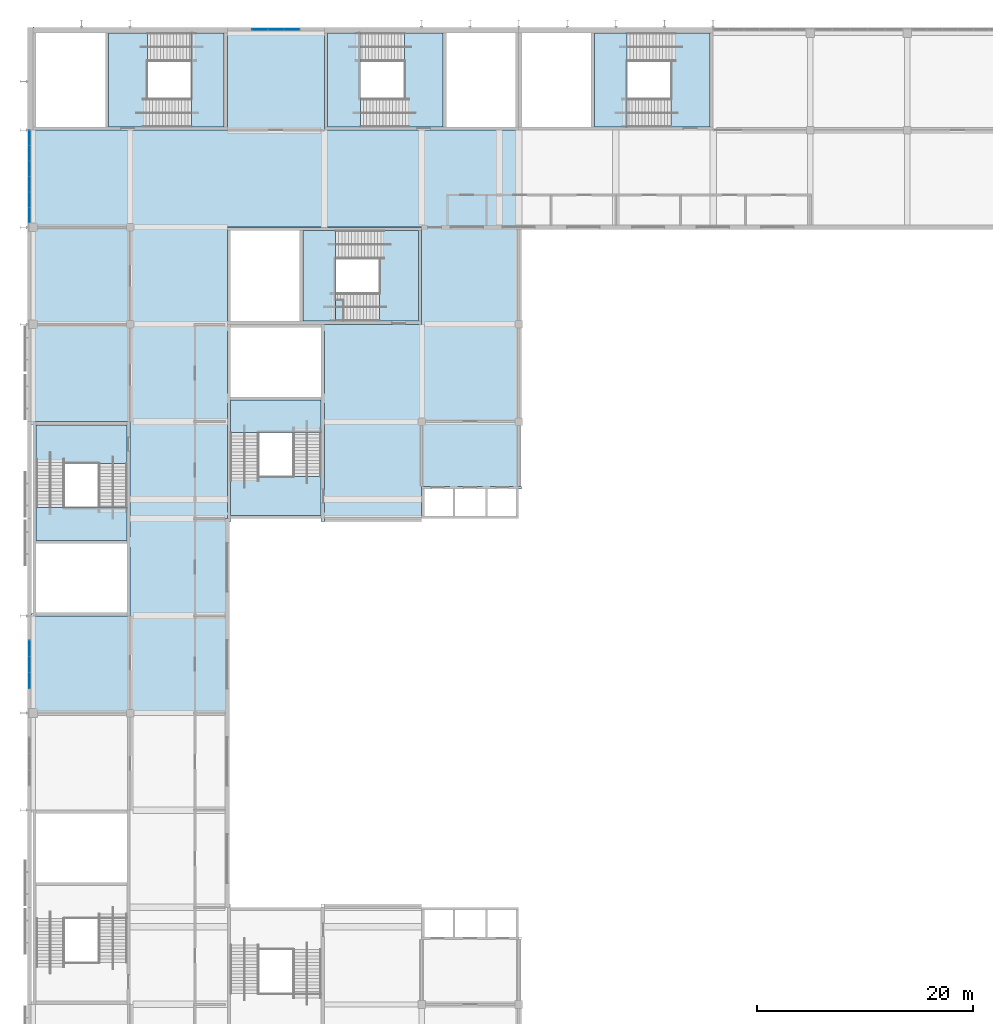
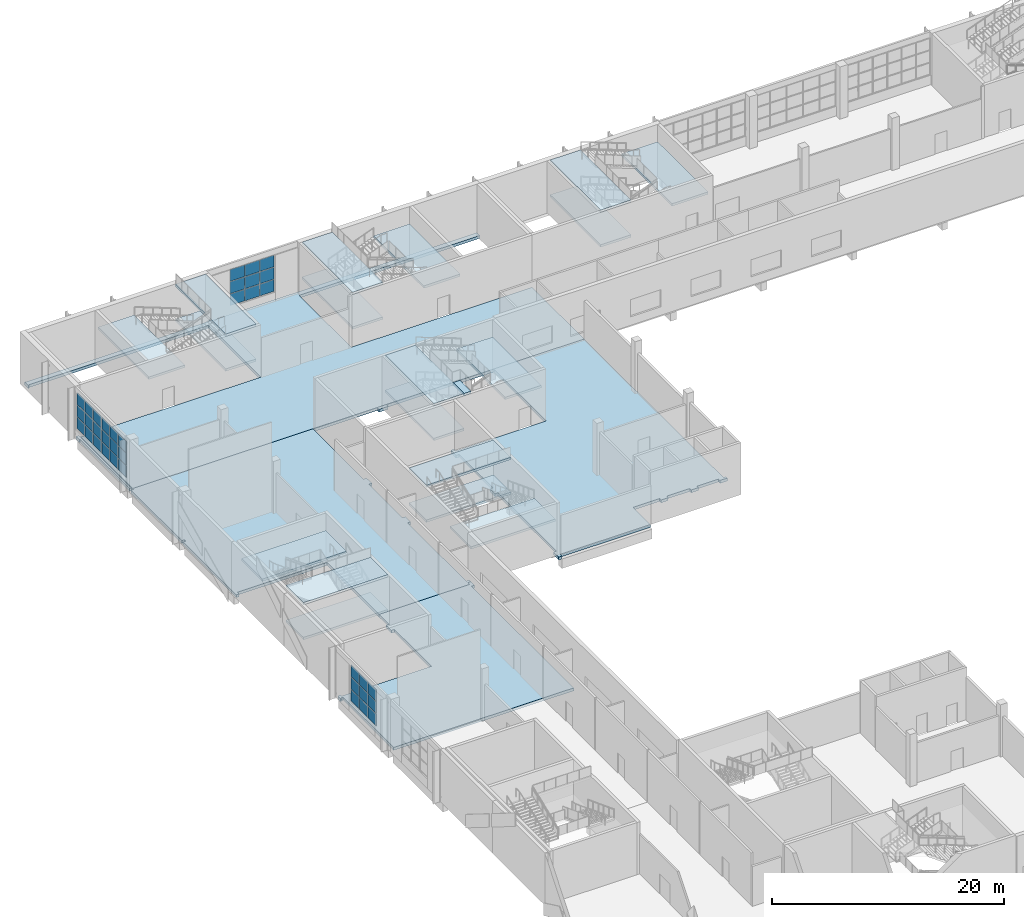
# One storey, part 28 of 84: 36 plates, 22 slabs, 9 elements without a shape of their own.
"""IFC4 building model written with IfcOpenShell, lengths in metres."""

from ifc_helpers import new_model, si_unit, direction, frame, origin, origin_2d, place, context, subcontext, project, spatial, polyline, rectangle, outline, extrude, material, layer, layer_set, type_object, element, aggregate, save


model = new_model("IFC4")

# Units and contexts
model_context = context("Model", 3, precision=1e-05, world=origin(), true_north=direction((0.0, 1.0)))
body_context = subcontext(model_context, "Body", "Model", "MODEL_VIEW")
ifc_project = project(units=[si_unit("LENGTHUNIT", "METRE"), si_unit("AREAUNIT", "SQUARE_METRE"), si_unit("VOLUMEUNIT", "CUBIC_METRE"), si_unit("PLANEANGLEUNIT", "RADIAN"), si_unit("MASSUNIT", "GRAM", prefix="KILO")], contexts=[model_context])

# Site, building, storey
site_placement = place(None, origin())
site = spatial("IfcSite", under=ifc_project, at=site_placement, CompositionType="ELEMENT")
building_placement = place(site_placement, origin())
building = spatial("IfcBuilding", under=site, at=building_placement, Name="Silverbay Arena", CompositionType="ELEMENT")
storey_placement = place(building_placement, frame((0.0, 0.0, 28.0)))
storey = spatial("IfcBuildingStorey", under=building, at=storey_placement, Name="L04", CompositionType="ELEMENT", Elevation=28.0)

# Curtain wall, plates
ifc_material_1 = material(Name="Aluminium framed curtain wall", Category="aluminium")
curtain_wall_type_1 = type_object("IfcCurtainWallType", Name="Curtain wall 4500 x 3900", PredefinedType="NOTDEFINED", material=ifc_material_1)
curtain_wall_1_placement = place(storey_placement, origin())
curtain_wall_1 = element("IfcCurtainWall", 1, at=curtain_wall_1_placement, inside=storey, type_object=curtain_wall_type_1, Name="North curtain wall L04 bay 3", PredefinedType="NOTDEFINED")
ifc_material_2 = material(Name="Laminated glass", Category="glass")
ifc_layer_1 = layer(ifc_material_2, 0.028076171875)
ifc_layer_set_1 = layer_set([ifc_layer_1], Name="Laminated glass")
plate_type = type_object("IfcPlateType", Name="Glass panel 28", PredefinedType="CURTAIN_PANEL", material=ifc_layer_set_1)
plate_1_placement = place(storey_placement, frame((77.985107421875, 144.330078125, 1.050048828125), z_axis=(0.0, 0.0, 1.0), x_axis=(-1.0, 0.0, 0.0)))
plate_1 = element("IfcPlate", 2, at=plate_1_placement, type_object=plate_type, Name="CW15 panel 1.1", PredefinedType="CURTAIN_PANEL", context=body_context, shape_type="SweptSolid", body=[
    extrude(rectangle(XDim=1.409912109375, YDim=0.028076171875, at=origin_2d()), origin(), (0.0, 0.0, 1.0), 1.22509765625),
])
plate_2_placement = place(storey_placement, frame((77.985107421875, 144.330078125, 2.324951171875), z_axis=(0.0, 0.0, 1.0), x_axis=(-1.0, 0.0, 0.0)))
plate_2 = element("IfcPlate", 3, at=plate_2_placement, type_object=plate_type, Name="CW15 panel 1.2", PredefinedType="CURTAIN_PANEL", context=body_context, shape_type="SweptSolid", body=[
    extrude(rectangle(XDim=1.409912109375, YDim=0.028076171875, at=origin_2d()), origin(), (0.0, 0.0, 1.0), 1.25),
])
plate_3_placement = place(storey_placement, frame((77.985107421875, 144.330078125, 3.625), z_axis=(0.0, 0.0, 1.0), x_axis=(-1.0, 0.0, 0.0)))
plate_3 = element("IfcPlate", 4, at=plate_3_placement, type_object=plate_type, Name="CW15 panel 1.3", PredefinedType="CURTAIN_PANEL", context=body_context, shape_type="SweptSolid", body=[
    extrude(rectangle(XDim=1.409912109375, YDim=0.028076171875, at=origin_2d()), origin(), (0.0, 0.0, 1.0), 1.22509765625),
])
plate_4_placement = place(storey_placement, frame((76.5, 144.330078125, 1.050048828125), z_axis=(0.0, 0.0, 1.0), x_axis=(-1.0, 0.0, 0.0)))
plate_4 = element("IfcPlate", 5, at=plate_4_placement, type_object=plate_type, Name="CW15 panel 2.1", PredefinedType="CURTAIN_PANEL", context=body_context, shape_type="SweptSolid", body=[
    extrude(rectangle(XDim=1.43994140625, YDim=0.028076171875, at=origin_2d()), origin(), (0.0, 0.0, 1.0), 1.22509765625),
])
plate_5_placement = place(storey_placement, frame((76.5, 144.330078125, 2.324951171875), z_axis=(0.0, 0.0, 1.0), x_axis=(-1.0, 0.0, 0.0)))
plate_5 = element("IfcPlate", 6, at=plate_5_placement, type_object=plate_type, Name="CW15 panel 2.2", PredefinedType="CURTAIN_PANEL", context=body_context, shape_type="SweptSolid", body=[
    extrude(rectangle(XDim=1.43994140625, YDim=0.028076171875, at=origin_2d()), origin(), (0.0, 0.0, 1.0), 1.25),
])
plate_6_placement = place(storey_placement, frame((76.5, 144.330078125, 3.625), z_axis=(0.0, 0.0, 1.0), x_axis=(-1.0, 0.0, 0.0)))
plate_6 = element("IfcPlate", 7, at=plate_6_placement, type_object=plate_type, Name="CW15 panel 2.3", PredefinedType="CURTAIN_PANEL", context=body_context, shape_type="SweptSolid", body=[
    extrude(rectangle(XDim=1.43994140625, YDim=0.028076171875, at=origin_2d()), origin(), (0.0, 0.0, 1.0), 1.22509765625),
])
plate_7_placement = place(storey_placement, frame((75.014892578125, 144.330078125, 1.050048828125), z_axis=(0.0, 0.0, 1.0), x_axis=(-1.0, 0.0, 0.0)))
plate_7 = element("IfcPlate", 8, at=plate_7_placement, type_object=plate_type, Name="CW15 panel 3.1", PredefinedType="CURTAIN_PANEL", context=body_context, shape_type="SweptSolid", body=[
    extrude(rectangle(XDim=1.409912109375, YDim=0.028076171875, at=origin_2d()), origin(), (0.0, 0.0, 1.0), 1.22509765625),
])
plate_8_placement = place(storey_placement, frame((75.014892578125, 144.330078125, 2.324951171875), z_axis=(0.0, 0.0, 1.0), x_axis=(-1.0, 0.0, 0.0)))
plate_8 = element("IfcPlate", 9, at=plate_8_placement, type_object=plate_type, Name="CW15 panel 3.2", PredefinedType="CURTAIN_PANEL", context=body_context, shape_type="SweptSolid", body=[
    extrude(rectangle(XDim=1.409912109375, YDim=0.028076171875, at=origin_2d()), origin(), (0.0, 0.0, 1.0), 1.25),
])
plate_9_placement = place(storey_placement, frame((75.014892578125, 144.330078125, 3.625), z_axis=(0.0, 0.0, 1.0), x_axis=(-1.0, 0.0, 0.0)))
plate_9 = element("IfcPlate", 10, at=plate_9_placement, type_object=plate_type, Name="CW15 panel 3.3", PredefinedType="CURTAIN_PANEL", context=body_context, shape_type="SweptSolid", body=[
    extrude(rectangle(XDim=1.409912109375, YDim=0.028076171875, at=origin_2d()), origin(), (0.0, 0.0, 1.0), 1.22509765625),
])
aggregate(curtain_wall_1, [plate_1, plate_2, plate_3, plate_4, plate_5, plate_6, plate_7, plate_8, plate_9])

curtain_wall_2_placement = place(storey_placement, origin())
curtain_wall_2 = element("IfcCurtainWall", 11, at=curtain_wall_2_placement, inside=storey, type_object=curtain_wall_type_1, Name="West curtain wall L04 bay 8", PredefinedType="NOTDEFINED")
plate_10_placement = place(storey_placement, frame((53.669921875, 86.985107421875, 1.050048828125), z_axis=(0.0, 0.0, 1.0), x_axis=(0.0, -1.0, 0.0)))
plate_10 = element("IfcPlate", 12, at=plate_10_placement, type_object=plate_type, Name="CW15 panel 1.1", PredefinedType="CURTAIN_PANEL", context=body_context, shape_type="SweptSolid", body=[
    extrude(rectangle(XDim=1.409912109375, YDim=0.028076171875, at=origin_2d()), origin(), (0.0, 0.0, 1.0), 1.22509765625),
])
plate_11_placement = place(storey_placement, frame((53.669921875, 86.985107421875, 2.324951171875), z_axis=(0.0, 0.0, 1.0), x_axis=(0.0, -1.0, 0.0)))
plate_11 = element("IfcPlate", 13, at=plate_11_placement, type_object=plate_type, Name="CW15 panel 1.2", PredefinedType="CURTAIN_PANEL", context=body_context, shape_type="SweptSolid", body=[
    extrude(rectangle(XDim=1.409912109375, YDim=0.028076171875, at=origin_2d()), origin(), (0.0, 0.0, 1.0), 1.25),
])
plate_12_placement = place(storey_placement, frame((53.669921875, 86.985107421875, 3.625), z_axis=(0.0, 0.0, 1.0), x_axis=(0.0, -1.0, 0.0)))
plate_12 = element("IfcPlate", 14, at=plate_12_placement, type_object=plate_type, Name="CW15 panel 1.3", PredefinedType="CURTAIN_PANEL", context=body_context, shape_type="SweptSolid", body=[
    extrude(rectangle(XDim=1.409912109375, YDim=0.028076171875, at=origin_2d()), origin(), (0.0, 0.0, 1.0), 1.22509765625),
])
plate_13_placement = place(storey_placement, frame((53.669921875, 85.5, 1.050048828125), z_axis=(0.0, 0.0, 1.0), x_axis=(0.0, -1.0, 0.0)))
plate_13 = element("IfcPlate", 15, at=plate_13_placement, type_object=plate_type, Name="CW15 panel 2.1", PredefinedType="CURTAIN_PANEL", context=body_context, shape_type="SweptSolid", body=[
    extrude(rectangle(XDim=1.43994140625, YDim=0.028076171875, at=origin_2d()), origin(), (0.0, 0.0, 1.0), 1.22509765625),
])
plate_14_placement = place(storey_placement, frame((53.669921875, 85.5, 2.324951171875), z_axis=(0.0, 0.0, 1.0), x_axis=(0.0, -1.0, 0.0)))
plate_14 = element("IfcPlate", 16, at=plate_14_placement, type_object=plate_type, Name="CW15 panel 2.2", PredefinedType="CURTAIN_PANEL", context=body_context, shape_type="SweptSolid", body=[
    extrude(rectangle(XDim=1.43994140625, YDim=0.028076171875, at=origin_2d()), origin(), (0.0, 0.0, 1.0), 1.25),
])
plate_15_placement = place(storey_placement, frame((53.669921875, 85.5, 3.625), z_axis=(0.0, 0.0, 1.0), x_axis=(0.0, -1.0, 0.0)))
plate_15 = element("IfcPlate", 17, at=plate_15_placement, type_object=plate_type, Name="CW15 panel 2.3", PredefinedType="CURTAIN_PANEL", context=body_context, shape_type="SweptSolid", body=[
    extrude(rectangle(XDim=1.43994140625, YDim=0.028076171875, at=origin_2d()), origin(), (0.0, 0.0, 1.0), 1.22509765625),
])
plate_16_placement = place(storey_placement, frame((53.669921875, 84.014892578125, 1.050048828125), z_axis=(0.0, 0.0, 1.0), x_axis=(0.0, -1.0, 0.0)))
plate_16 = element("IfcPlate", 18, at=plate_16_placement, type_object=plate_type, Name="CW15 panel 3.1", PredefinedType="CURTAIN_PANEL", context=body_context, shape_type="SweptSolid", body=[
    extrude(rectangle(XDim=1.409912109375, YDim=0.028076171875, at=origin_2d()), origin(), (0.0, 0.0, 1.0), 1.22509765625),
])
plate_17_placement = place(storey_placement, frame((53.669921875, 84.014892578125, 2.324951171875), z_axis=(0.0, 0.0, 1.0), x_axis=(0.0, -1.0, 0.0)))
plate_17 = element("IfcPlate", 19, at=plate_17_placement, type_object=plate_type, Name="CW15 panel 3.2", PredefinedType="CURTAIN_PANEL", context=body_context, shape_type="SweptSolid", body=[
    extrude(rectangle(XDim=1.409912109375, YDim=0.028076171875, at=origin_2d()), origin(), (0.0, 0.0, 1.0), 1.25),
])
plate_18_placement = place(storey_placement, frame((53.669921875, 84.014892578125, 3.625), z_axis=(0.0, 0.0, 1.0), x_axis=(0.0, -1.0, 0.0)))
plate_18 = element("IfcPlate", 20, at=plate_18_placement, type_object=plate_type, Name="CW15 panel 3.3", PredefinedType="CURTAIN_PANEL", context=body_context, shape_type="SweptSolid", body=[
    extrude(rectangle(XDim=1.409912109375, YDim=0.028076171875, at=origin_2d()), origin(), (0.0, 0.0, 1.0), 1.22509765625),
])
aggregate(curtain_wall_2, [plate_10, plate_11, plate_12, plate_13, plate_14, plate_15, plate_16, plate_17, plate_18])

ifc_material_3 = material(Name="Aluminium framed curtain wall", Category="aluminium")
curtain_wall_type_2 = type_object("IfcCurtainWallType", Name="Curtain wall 8600 x 3900", PredefinedType="NOTDEFINED", material=ifc_material_3)
curtain_wall_3_placement = place(storey_placement, origin())
curtain_wall_3 = element("IfcCurtainWall", 21, at=curtain_wall_3_placement, inside=storey, type_object=curtain_wall_type_2, Name="West curtain wall L04 bay 13", PredefinedType="NOTDEFINED")
plate_19_placement = place(storey_placement, frame((53.669921875, 134.268310546875, 1.050048828125), z_axis=(0.0, 0.0, 1.0), x_axis=(0.0, -1.0, 0.0)))
plate_19 = element("IfcPlate", 22, at=plate_19_placement, type_object=plate_type, Name="CW1 panel 1.1", PredefinedType="CURTAIN_PANEL", context=body_context, shape_type="SweptSolid", body=[
    extrude(rectangle(XDim=1.34326171875, YDim=0.028076171875, at=origin_2d()), origin(), (0.0, 0.0, 1.0), 1.22509765625),
])
plate_20_placement = place(storey_placement, frame((53.669921875, 134.268310546875, 2.324951171875), z_axis=(0.0, 0.0, 1.0), x_axis=(0.0, -1.0, 0.0)))
plate_20 = element("IfcPlate", 23, at=plate_20_placement, type_object=plate_type, Name="CW1 panel 1.2", PredefinedType="CURTAIN_PANEL", context=body_context, shape_type="SweptSolid", body=[
    extrude(rectangle(XDim=1.34326171875, YDim=0.028076171875, at=origin_2d()), origin(), (0.0, 0.0, 1.0), 1.25),
])
plate_21_placement = place(storey_placement, frame((53.669921875, 134.268310546875, 3.625), z_axis=(0.0, 0.0, 1.0), x_axis=(0.0, -1.0, 0.0)))
plate_21 = element("IfcPlate", 24, at=plate_21_placement, type_object=plate_type, Name="CW1 panel 1.3", PredefinedType="CURTAIN_PANEL", context=body_context, shape_type="SweptSolid", body=[
    extrude(rectangle(XDim=1.34326171875, YDim=0.028076171875, at=origin_2d()), origin(), (0.0, 0.0, 1.0), 1.22509765625),
])
plate_22_placement = place(storey_placement, frame((53.669921875, 132.85009765625, 1.050048828125), z_axis=(0.0, 0.0, 1.0), x_axis=(0.0, -1.0, 0.0)))
plate_22 = element("IfcPlate", 25, at=plate_22_placement, type_object=plate_type, Name="CW1 panel 2.1", PredefinedType="CURTAIN_PANEL", context=body_context, shape_type="SweptSolid", body=[
    extrude(rectangle(XDim=1.373291015625, YDim=0.028076171875, at=origin_2d()), origin(), (0.0, 0.0, 1.0), 1.22509765625),
])
plate_23_placement = place(storey_placement, frame((53.669921875, 132.85009765625, 2.324951171875), z_axis=(0.0, 0.0, 1.0), x_axis=(0.0, -1.0, 0.0)))
plate_23 = element("IfcPlate", 26, at=plate_23_placement, type_object=plate_type, Name="CW1 panel 2.2", PredefinedType="CURTAIN_PANEL", context=body_context, shape_type="SweptSolid", body=[
    extrude(rectangle(XDim=1.373291015625, YDim=0.028076171875, at=origin_2d()), origin(), (0.0, 0.0, 1.0), 1.25),
])
plate_24_placement = place(storey_placement, frame((53.669921875, 132.85009765625, 3.625), z_axis=(0.0, 0.0, 1.0), x_axis=(0.0, -1.0, 0.0)))
plate_24 = element("IfcPlate", 27, at=plate_24_placement, type_object=plate_type, Name="CW1 panel 2.3", PredefinedType="CURTAIN_PANEL", context=body_context, shape_type="SweptSolid", body=[
    extrude(rectangle(XDim=1.373291015625, YDim=0.028076171875, at=origin_2d()), origin(), (0.0, 0.0, 1.0), 1.22509765625),
])
plate_25_placement = place(storey_placement, frame((53.669921875, 131.416748046875, 1.050048828125), z_axis=(0.0, 0.0, 1.0), x_axis=(0.0, -1.0, 0.0)))
plate_25 = element("IfcPlate", 28, at=plate_25_placement, type_object=plate_type, Name="CW1 panel 3.1", PredefinedType="CURTAIN_PANEL", context=body_context, shape_type="SweptSolid", body=[
    extrude(rectangle(XDim=1.373291015625, YDim=0.028076171875, at=origin_2d()), origin(), (0.0, 0.0, 1.0), 1.22509765625),
])
plate_26_placement = place(storey_placement, frame((53.669921875, 131.416748046875, 2.324951171875), z_axis=(0.0, 0.0, 1.0), x_axis=(0.0, -1.0, 0.0)))
plate_26 = element("IfcPlate", 29, at=plate_26_placement, type_object=plate_type, Name="CW1 panel 3.2", PredefinedType="CURTAIN_PANEL", context=body_context, shape_type="SweptSolid", body=[
    extrude(rectangle(XDim=1.373291015625, YDim=0.028076171875, at=origin_2d()), origin(), (0.0, 0.0, 1.0), 1.25),
])
plate_27_placement = place(storey_placement, frame((53.669921875, 131.416748046875, 3.625), z_axis=(0.0, 0.0, 1.0), x_axis=(0.0, -1.0, 0.0)))
plate_27 = element("IfcPlate", 30, at=plate_27_placement, type_object=plate_type, Name="CW1 panel 3.3", PredefinedType="CURTAIN_PANEL", context=body_context, shape_type="SweptSolid", body=[
    extrude(rectangle(XDim=1.373291015625, YDim=0.028076171875, at=origin_2d()), origin(), (0.0, 0.0, 1.0), 1.22509765625),
])
plate_28_placement = place(storey_placement, frame((53.669921875, 129.9833984375, 1.050048828125), z_axis=(0.0, 0.0, 1.0), x_axis=(0.0, -1.0, 0.0)))
plate_28 = element("IfcPlate", 31, at=plate_28_placement, type_object=plate_type, Name="CW1 panel 4.1", PredefinedType="CURTAIN_PANEL", context=body_context, shape_type="SweptSolid", body=[
    extrude(rectangle(XDim=1.373291015625, YDim=0.028076171875, at=origin_2d()), origin(), (0.0, 0.0, 1.0), 1.22509765625),
])
plate_29_placement = place(storey_placement, frame((53.669921875, 129.9833984375, 2.324951171875), z_axis=(0.0, 0.0, 1.0), x_axis=(0.0, -1.0, 0.0)))
plate_29 = element("IfcPlate", 32, at=plate_29_placement, type_object=plate_type, Name="CW1 panel 4.2", PredefinedType="CURTAIN_PANEL", context=body_context, shape_type="SweptSolid", body=[
    extrude(rectangle(XDim=1.373291015625, YDim=0.028076171875, at=origin_2d()), origin(), (0.0, 0.0, 1.0), 1.25),
])
plate_30_placement = place(storey_placement, frame((53.669921875, 129.9833984375, 3.625), z_axis=(0.0, 0.0, 1.0), x_axis=(0.0, -1.0, 0.0)))
plate_30 = element("IfcPlate", 33, at=plate_30_placement, type_object=plate_type, Name="CW1 panel 4.3", PredefinedType="CURTAIN_PANEL", context=body_context, shape_type="SweptSolid", body=[
    extrude(rectangle(XDim=1.373291015625, YDim=0.028076171875, at=origin_2d()), origin(), (0.0, 0.0, 1.0), 1.22509765625),
])
plate_31_placement = place(storey_placement, frame((53.669921875, 128.550048828125, 1.050048828125), z_axis=(0.0, 0.0, 1.0), x_axis=(0.0, -1.0, 0.0)))
plate_31 = element("IfcPlate", 34, at=plate_31_placement, type_object=plate_type, Name="CW1 panel 5.1", PredefinedType="CURTAIN_PANEL", context=body_context, shape_type="SweptSolid", body=[
    extrude(rectangle(XDim=1.373291015625, YDim=0.028076171875, at=origin_2d()), origin(), (0.0, 0.0, 1.0), 1.22509765625),
])
plate_32_placement = place(storey_placement, frame((53.669921875, 128.550048828125, 2.324951171875), z_axis=(0.0, 0.0, 1.0), x_axis=(0.0, -1.0, 0.0)))
plate_32 = element("IfcPlate", 35, at=plate_32_placement, type_object=plate_type, Name="CW1 panel 5.2", PredefinedType="CURTAIN_PANEL", context=body_context, shape_type="SweptSolid", body=[
    extrude(rectangle(XDim=1.373291015625, YDim=0.028076171875, at=origin_2d()), origin(), (0.0, 0.0, 1.0), 1.25),
])
plate_33_placement = place(storey_placement, frame((53.669921875, 128.550048828125, 3.625), z_axis=(0.0, 0.0, 1.0), x_axis=(0.0, -1.0, 0.0)))
plate_33 = element("IfcPlate", 36, at=plate_33_placement, type_object=plate_type, Name="CW1 panel 5.3", PredefinedType="CURTAIN_PANEL", context=body_context, shape_type="SweptSolid", body=[
    extrude(rectangle(XDim=1.373291015625, YDim=0.028076171875, at=origin_2d()), origin(), (0.0, 0.0, 1.0), 1.22509765625),
])
plate_34_placement = place(storey_placement, frame((53.669921875, 127.131591796875, 1.050048828125), z_axis=(0.0, 0.0, 1.0), x_axis=(0.0, -1.0, 0.0)))
plate_34 = element("IfcPlate", 37, at=plate_34_placement, type_object=plate_type, Name="CW1 panel 6.1", PredefinedType="CURTAIN_PANEL", context=body_context, shape_type="SweptSolid", body=[
    extrude(rectangle(XDim=1.34326171875, YDim=0.028076171875, at=origin_2d()), origin(), (0.0, 0.0, 1.0), 1.22509765625),
])
plate_35_placement = place(storey_placement, frame((53.669921875, 127.131591796875, 2.324951171875), z_axis=(0.0, 0.0, 1.0), x_axis=(0.0, -1.0, 0.0)))
plate_35 = element("IfcPlate", 38, at=plate_35_placement, type_object=plate_type, Name="CW1 panel 6.2", PredefinedType="CURTAIN_PANEL", context=body_context, shape_type="SweptSolid", body=[
    extrude(rectangle(XDim=1.34326171875, YDim=0.028076171875, at=origin_2d()), origin(), (0.0, 0.0, 1.0), 1.25),
])
plate_36_placement = place(storey_placement, frame((53.669921875, 127.131591796875, 3.625), z_axis=(0.0, 0.0, 1.0), x_axis=(0.0, -1.0, 0.0)))
plate_36 = element("IfcPlate", 39, at=plate_36_placement, type_object=plate_type, Name="CW1 panel 6.3", PredefinedType="CURTAIN_PANEL", context=body_context, shape_type="SweptSolid", body=[
    extrude(rectangle(XDim=1.34326171875, YDim=0.028076171875, at=origin_2d()), origin(), (0.0, 0.0, 1.0), 1.22509765625),
])
aggregate(curtain_wall_3, [plate_19, plate_20, plate_21, plate_22, plate_23, plate_24, plate_25, plate_26, plate_27, plate_28, plate_29, plate_30, plate_31, plate_32, plate_33, plate_34, plate_35, plate_36])

# Slabs
ifc_material_4 = material(Name="Concrete Grade C45", Category="concrete")
ifc_layer_2 = layer(ifc_material_4, 0.300048828125)
ifc_layer_set_2 = layer_set([ifc_layer_2], Name="Concrete Grade C45")
slab_type_1 = type_object("IfcSlabType", Name="RC floor slab 300", PredefinedType="FLOOR", material=ifc_layer_set_2)
slab_1_placement = place(storey_placement, frame((0.0, 0.0, -0.300048828125)))
element("IfcSlab", 40, at=slab_1_placement, inside=storey, type_object=slab_type_1, Name="Floor slab L04 unit 6 B", PredefinedType="FLOOR", context=body_context, shape_type="SweptSolid", body=[
    extrude(outline(polyline([(54.074951171875, 89.77490234375), (53.85009765625, 89.77490234375), (53.85009765625, 89.675048828125), (53.75, 89.675048828125), (53.75, 90.10009765625), (53.85009765625, 90.10009765625), (53.85009765625, 90.22509765625), (54.074951171875, 90.22509765625), (54.074951171875, 90.0), (63.0, 90.0), (63.0, 96.39990234375), (62.699951171875, 96.39990234375), (62.699951171875, 97.300048828125), (63.0, 97.300048828125), (63.0, 99.02490234375), (72.0, 99.02490234375), (72.0, 99.324951171875), (72.300048828125, 99.324951171875), (72.300048828125, 98.699951171875), (72.0, 98.699951171875), (72.0, 81.050048828125), (54.074951171875, 81.050048828125), (54.074951171875, 89.77490234375)])), origin(), (0.0, 0.0, 1.0), 0.300048828125),
])
slab_2_placement = place(storey_placement, frame((0.0, 0.0, -0.300048828125)))
element("IfcSlab", 41, at=slab_2_placement, inside=storey, type_object=slab_type_1, Name="Floor slab L04 unit 8", PredefinedType="FLOOR", context=body_context, shape_type="SweptSolid", body=[
    extrude(outline(polyline([(63.0, 108.0), (54.074951171875, 108.0), (54.074951171875, 107.72509765625), (53.800048828125, 107.72509765625), (53.800048828125, 116.875), (54.074951171875, 116.875), (54.074951171875, 117.125), (53.800048828125, 117.125), (53.800048828125, 125.875), (54.074951171875, 125.875), (54.074951171875, 126.02490234375), (99.0, 126.02490234375), (99.0, 102.0), (99.25, 102.0), (99.25, 101.75), (98.5, 101.75), (98.5, 102.0), (96.35009765625, 102.0), (96.35009765625, 101.75), (95.64990234375, 101.75), (95.64990234375, 102.0), (93.35009765625, 102.0), (93.35009765625, 101.75), (92.64990234375, 101.75), (92.64990234375, 102.0), (90.0, 102.0), (90.0, 99.02490234375), (81.0, 99.02490234375), (81.0, 98.72509765625), (80.699951171875, 98.72509765625), (80.699951171875, 99.60009765625), (81.0, 99.60009765625), (81.0, 109.699951171875), (80.699951171875, 109.699951171875), (80.699951171875, 110.60009765625), (81.0, 110.60009765625), (81.0, 116.39990234375), (80.699951171875, 116.39990234375), (80.699951171875, 117.300048828125), (81.0, 117.300048828125), (81.0, 117.0), (90.0, 117.0), (90.0, 126.0), (79.300048828125, 126.0), (79.300048828125, 125.699951171875), (78.39990234375, 125.699951171875), (78.39990234375, 126.0), (72.0, 126.0), (72.0, 117.300048828125), (72.300048828125, 117.300048828125), (72.300048828125, 116.39990234375), (72.0, 116.39990234375), (72.0, 110.60009765625), (72.300048828125, 110.60009765625), (72.300048828125, 109.699951171875), (72.0, 109.699951171875), (72.0, 99.60009765625), (72.300048828125, 99.60009765625), (72.300048828125, 99.324951171875), (72.0, 99.324951171875), (72.0, 99.02490234375), (63.0, 99.02490234375), (63.0, 108.0)])), origin(), (0.0, 0.0, 1.0), 0.300048828125),
])
slab_3_placement = place(storey_placement, frame((0.0, 0.0, -0.300048828125)))
element("IfcSlab", 42, at=slab_3_placement, inside=storey, type_object=slab_type_1, Name="Floor slab L04 unit 10", PredefinedType="FLOOR", context=body_context, shape_type="SweptSolid", body=[
    extrude(outline(polyline([(53.75, 134.675048828125), (53.75, 135.25), (54.0, 135.25), (54.0, 135.074951171875), (54.074951171875, 135.074951171875), (54.074951171875, 135.0), (72.0, 135.0), (72.0, 144.0), (54.074951171875, 144.0), (54.074951171875, 143.925048828125), (54.0, 143.925048828125), (54.0, 144.574951171875), (54.074951171875, 144.574951171875), (54.074951171875, 144.5), (99.0, 144.5), (99.0, 144.0), (81.0, 144.0), (81.0, 135.0), (99.0, 135.0), (99.0, 126.02490234375), (54.074951171875, 126.02490234375), (54.074951171875, 134.925048828125), (54.0, 134.925048828125), (54.0, 126.14990234375), (53.824951171875, 126.14990234375), (53.824951171875, 134.675048828125), (53.75, 134.675048828125)])), origin(), (0.0, 0.0, 1.0), 0.300048828125),
])

# Stair, slab
ifc_material_5 = material(Name="Concrete Grade C45", Category="concrete")
stair_type = type_object("IfcStairType", Name="Stair 2600 wide 48 risers 114.6 x 300", PredefinedType="HALF_TURN_STAIR", material=ifc_material_5)
stair_1_placement = place(storey_placement, origin())
stair_1 = element("IfcStair", 43, at=stair_1_placement, inside=storey, type_object=stair_type, Name="Stair ST-NW1 L04 to L05", PredefinedType="HALF_TURN_STAIR")
ifc_material_6 = material(Name="Concrete Grade C45", Category="concrete")
ifc_layer_3 = layer(ifc_material_6, 0.25)
ifc_layer_set_3 = layer_set([ifc_layer_3], Name="Concrete Grade C45")
slab_type_2 = type_object("IfcSlabType", Name="Stair arrival platform RC 250", PredefinedType="FLOOR", material=ifc_layer_set_3)
slab_4_placement = place(storey_placement, frame((0.0, 0.0, 5.25)))
slab_4 = element("IfcSlab", 44, at=slab_4_placement, type_object=slab_type_2, Name="Stair ST-NW1 L04 to L05 arrival platform 4", PredefinedType="FLOOR", context=body_context, shape_type="SweptSolid", body=[
    extrude(outline(polyline([(82.700439453125, 117.300048828125), (82.0205078125, 117.300048828125), (82.0205078125, 119.199951171875), (82.700439453125, 119.199951171875), (82.700439453125, 117.300048828125)])), origin(), (0.0, 0.0, 1.0), 0.25),
])

# Stair, slabs
stair_2_placement = place(storey_placement, origin())
stair_2 = element("IfcStair", 45, at=stair_2_placement, inside=storey, type_object=stair_type, Name="Stair ST-N1 L04 to L05", PredefinedType="HALF_TURN_STAIR")
ifc_material_7 = material(Name="Concrete Grade C45", Category="concrete")
ifc_layer_4 = layer(ifc_material_7, 0.25)
ifc_layer_set_4 = layer_set([ifc_layer_4], Name="Concrete Grade C45")
slab_type_3 = type_object("IfcSlabType", Name="Stair landing RC 250", PredefinedType="LANDING", material=ifc_layer_set_4)
slab_5_placement = place(storey_placement, frame((0.0, 0.0, 1.583251953125)))
slab_5 = element("IfcSlab", 46, at=slab_5_placement, type_object=slab_type_3, Name="Stair ST-N1 L04 to L05 landing 1", PredefinedType="LANDING", context=body_context, shape_type="SweptSolid", body=[
    extrude(outline(polyline([(84.3203125, 135.300048828125), (81.300048828125, 135.300048828125), (81.300048828125, 144.0), (84.3203125, 144.0), (84.3203125, 135.300048828125)])), origin(), (0.0, 0.0, 1.0), 0.25),
])
slab_6_placement = place(storey_placement, frame((0.0, 0.0, 3.416748046875)))
slab_6 = element("IfcSlab", 47, at=slab_6_placement, type_object=slab_type_3, Name="Stair ST-N1 L04 to L05 landing 2", PredefinedType="LANDING", context=body_context, shape_type="SweptSolid", body=[
    extrude(outline(polyline([(92.0, 135.300048828125), (88.39990234375, 135.300048828125), (88.39990234375, 144.0), (92.0, 144.0), (92.0, 135.300048828125)])), origin(), (0.0, 0.0, 1.0), 0.25),
])
slab_7_placement = place(storey_placement, frame((0.0, 0.0, 5.25)))
slab_7 = element("IfcSlab", 48, at=slab_7_placement, type_object=slab_type_3, Name="Stair ST-N1 L04 to L05 landing 3", PredefinedType="LANDING", context=body_context, shape_type="SweptSolid", body=[
    extrude(outline(polyline([(84.3203125, 135.300048828125), (81.300048828125, 135.300048828125), (81.300048828125, 144.0), (84.3203125, 144.0), (84.3203125, 135.300048828125)])), origin(), (0.0, 0.0, 1.0), 0.25),
])
aggregate(stair_2, [slab_5, slab_6, slab_7])

stair_3_placement = place(storey_placement, origin())
stair_3 = element("IfcStair", 49, at=stair_3_placement, inside=storey, type_object=stair_type, Name="Stair ST-N2 L04 to L05", PredefinedType="HALF_TURN_STAIR")
slab_8_placement = place(storey_placement, frame((0.0, 0.0, 1.583251953125)))
slab_8 = element("IfcSlab", 50, at=slab_8_placement, type_object=slab_type_3, Name="Stair ST-N2 L04 to L05 landing 1", PredefinedType="LANDING", context=body_context, shape_type="SweptSolid", body=[
    extrude(outline(polyline([(109.0205078125, 135.300048828125), (106.0, 135.300048828125), (106.0, 144.0), (109.0205078125, 144.0), (109.0205078125, 135.300048828125)])), origin(), (0.0, 0.0, 1.0), 0.25),
])
slab_9_placement = place(storey_placement, frame((0.0, 0.0, 3.416748046875)))
slab_9 = element("IfcSlab", 51, at=slab_9_placement, type_object=slab_type_3, Name="Stair ST-N2 L04 to L05 landing 2", PredefinedType="LANDING", context=body_context, shape_type="SweptSolid", body=[
    extrude(outline(polyline([(116.699951171875, 135.300048828125), (113.10009765625, 135.300048828125), (113.10009765625, 144.0), (116.699951171875, 144.0), (116.699951171875, 135.300048828125)])), origin(), (0.0, 0.0, 1.0), 0.25),
])
slab_10_placement = place(storey_placement, frame((0.0, 0.0, 5.25)))
slab_10 = element("IfcSlab", 52, at=slab_10_placement, type_object=slab_type_3, Name="Stair ST-N2 L04 to L05 landing 3", PredefinedType="LANDING", context=body_context, shape_type="SweptSolid", body=[
    extrude(outline(polyline([(109.0205078125, 135.300048828125), (106.0, 135.300048828125), (106.0, 144.0), (109.0205078125, 144.0), (109.0205078125, 135.300048828125)])), origin(), (0.0, 0.0, 1.0), 0.25),
])
aggregate(stair_3, [slab_8, slab_9, slab_10])

stair_4_placement = place(storey_placement, origin())
stair_4 = element("IfcStair", 53, at=stair_4_placement, inside=storey, type_object=stair_type, Name="Stair ST-N5 L04 to L05", PredefinedType="HALF_TURN_STAIR")
slab_11_placement = place(storey_placement, frame((0.0, 0.0, 1.583251953125)))
slab_11 = element("IfcSlab", 54, at=slab_11_placement, type_object=slab_type_3, Name="Stair ST-N5 L04 to L05 landing 1", PredefinedType="LANDING", context=body_context, shape_type="SweptSolid", body=[
    extrude(outline(polyline([(68.6796875, 135.300048828125), (71.699951171875, 135.300048828125), (71.699951171875, 144.0), (68.6796875, 144.0), (68.6796875, 135.300048828125)])), origin(), (0.0, 0.0, 1.0), 0.25),
])
slab_12_placement = place(storey_placement, frame((0.0, 0.0, 3.416748046875)))
slab_12 = element("IfcSlab", 55, at=slab_12_placement, type_object=slab_type_3, Name="Stair ST-N5 L04 to L05 landing 2", PredefinedType="LANDING", context=body_context, shape_type="SweptSolid", body=[
    extrude(outline(polyline([(61.0, 135.300048828125), (64.60009765625, 135.300048828125), (64.60009765625, 144.0), (61.0, 144.0), (61.0, 135.300048828125)])), origin(), (0.0, 0.0, 1.0), 0.25),
])
slab_13_placement = place(storey_placement, frame((0.0, 0.0, 5.25)))
slab_13 = element("IfcSlab", 56, at=slab_13_placement, type_object=slab_type_3, Name="Stair ST-N5 L04 to L05 landing 3", PredefinedType="LANDING", context=body_context, shape_type="SweptSolid", body=[
    extrude(outline(polyline([(68.6796875, 135.300048828125), (71.699951171875, 135.300048828125), (71.699951171875, 144.0), (68.6796875, 144.0), (68.6796875, 135.300048828125)])), origin(), (0.0, 0.0, 1.0), 0.25),
])
aggregate(stair_4, [slab_11, slab_12, slab_13])

stair_5_placement = place(storey_placement, origin())
stair_5 = element("IfcStair", 57, at=stair_5_placement, inside=storey, type_object=stair_type, Name="Stair ST-W2 L04 to L05", PredefinedType="HALF_TURN_STAIR")
slab_14_placement = place(storey_placement, frame((0.0, 0.0, 1.583251953125)))
slab_14 = element("IfcSlab", 58, at=slab_14_placement, type_object=slab_type_3, Name="Stair ST-W2 L04 to L05 landing 1", PredefinedType="LANDING", context=body_context, shape_type="SweptSolid", body=[
    extrude(outline(polyline([(62.699951171875, 100.0205078125), (62.699951171875, 97.0), (54.300048828125, 97.0), (54.300048828125, 100.0205078125), (62.699951171875, 100.0205078125)])), origin(), (0.0, 0.0, 1.0), 0.25),
])
slab_15_placement = place(storey_placement, frame((0.0, 0.0, 3.416748046875)))
slab_15 = element("IfcSlab", 59, at=slab_15_placement, type_object=slab_type_3, Name="Stair ST-W2 L04 to L05 landing 2", PredefinedType="LANDING", context=body_context, shape_type="SweptSolid", body=[
    extrude(outline(polyline([(62.699951171875, 107.699951171875), (62.699951171875, 104.10009765625), (54.300048828125, 104.10009765625), (54.300048828125, 107.699951171875), (62.699951171875, 107.699951171875)])), origin(), (0.0, 0.0, 1.0), 0.25),
])
slab_16_placement = place(storey_placement, frame((0.0, 0.0, 5.25)))
slab_16 = element("IfcSlab", 60, at=slab_16_placement, type_object=slab_type_3, Name="Stair ST-W2 L04 to L05 landing 3", PredefinedType="LANDING", context=body_context, shape_type="SweptSolid", body=[
    extrude(outline(polyline([(62.699951171875, 100.0205078125), (62.699951171875, 97.0), (54.300048828125, 97.0), (54.300048828125, 100.0205078125), (62.699951171875, 100.0205078125)])), origin(), (0.0, 0.0, 1.0), 0.25),
])
aggregate(stair_5, [slab_14, slab_15, slab_16])

# Slab
slab_17_placement = place(storey_placement, frame((0.0, 0.0, 1.583251953125)))
slab_17 = element("IfcSlab", 61, at=slab_17_placement, type_object=slab_type_3, Name="Stair ST-NW1 L04 to L05 landing 1", PredefinedType="LANDING", context=body_context, shape_type="SweptSolid", body=[
    extrude(outline(polyline([(82.0205078125, 117.300048828125), (79.0, 117.300048828125), (79.0, 125.699951171875), (82.0205078125, 125.699951171875), (82.0205078125, 117.300048828125)])), origin(), (0.0, 0.0, 1.0), 0.25),
])

slab_18_placement = place(storey_placement, frame((0.0, 0.0, 3.416748046875)))
slab_18 = element("IfcSlab", 62, at=slab_18_placement, type_object=slab_type_3, Name="Stair ST-NW1 L04 to L05 landing 2", PredefinedType="LANDING", context=body_context, shape_type="SweptSolid", body=[
    extrude(outline(polyline([(89.699951171875, 117.300048828125), (86.10009765625, 117.300048828125), (86.10009765625, 125.699951171875), (89.699951171875, 125.699951171875), (89.699951171875, 117.300048828125)])), origin(), (0.0, 0.0, 1.0), 0.25),
])

slab_19_placement = place(storey_placement, frame((0.0, 0.0, 5.25)))
slab_19 = element("IfcSlab", 63, at=slab_19_placement, type_object=slab_type_3, Name="Stair ST-NW1 L04 to L05 landing 3", PredefinedType="LANDING", context=body_context, shape_type="SweptSolid", body=[
    extrude(outline(polyline([(82.0205078125, 117.300048828125), (79.0, 117.300048828125), (79.0, 125.699951171875), (82.0205078125, 125.699951171875), (82.0205078125, 117.300048828125)])), origin(), (0.0, 0.0, 1.0), 0.25),
])

aggregate(stair_1, [slab_17, slab_18, slab_19, slab_4])

# Stair, slabs
stair_6_placement = place(storey_placement, origin())
stair_6 = element("IfcStair", 64, at=stair_6_placement, inside=storey, type_object=stair_type, Name="Stair ST-NW2 L04 to L05", PredefinedType="HALF_TURN_STAIR")
slab_20_placement = place(storey_placement, frame((0.0, 0.0, 1.583251953125)))
slab_20 = element("IfcSlab", 65, at=slab_20_placement, type_object=slab_type_3, Name="Stair ST-NW2 L04 to L05 landing 1", PredefinedType="LANDING", context=body_context, shape_type="SweptSolid", body=[
    extrude(outline(polyline([(80.699951171875, 106.9794921875), (80.699951171875, 110.0), (72.300048828125, 110.0), (72.300048828125, 106.9794921875), (80.699951171875, 106.9794921875)])), origin(), (0.0, 0.0, 1.0), 0.25),
])
slab_21_placement = place(storey_placement, frame((0.0, 0.0, 3.416748046875)))
slab_21 = element("IfcSlab", 66, at=slab_21_placement, type_object=slab_type_3, Name="Stair ST-NW2 L04 to L05 landing 2", PredefinedType="LANDING", context=body_context, shape_type="SweptSolid", body=[
    extrude(outline(polyline([(80.699951171875, 99.300048828125), (80.699951171875, 102.89990234375), (72.300048828125, 102.89990234375), (72.300048828125, 99.300048828125), (80.699951171875, 99.300048828125)])), origin(), (0.0, 0.0, 1.0), 0.25),
])
slab_22_placement = place(storey_placement, frame((0.0, 0.0, 5.25)))
slab_22 = element("IfcSlab", 67, at=slab_22_placement, type_object=slab_type_3, Name="Stair ST-NW2 L04 to L05 landing 3", PredefinedType="LANDING", context=body_context, shape_type="SweptSolid", body=[
    extrude(outline(polyline([(80.699951171875, 106.9794921875), (80.699951171875, 110.0), (72.300048828125, 110.0), (72.300048828125, 106.9794921875), (80.699951171875, 106.9794921875)])), origin(), (0.0, 0.0, 1.0), 0.25),
])
aggregate(stair_6, [slab_20, slab_21, slab_22])

save(model, "model.ifc")
